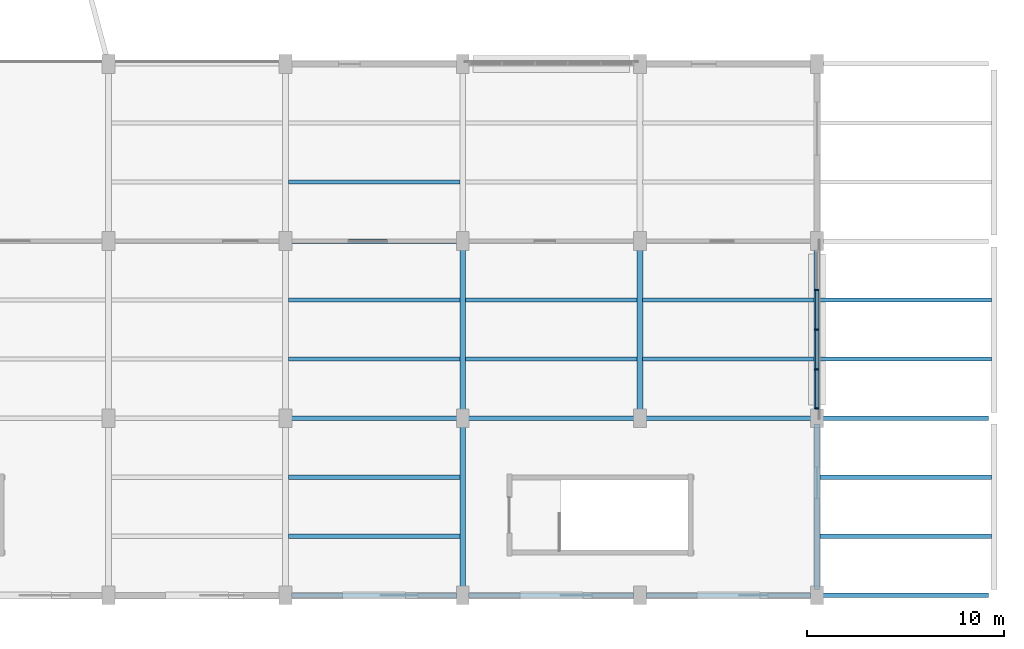
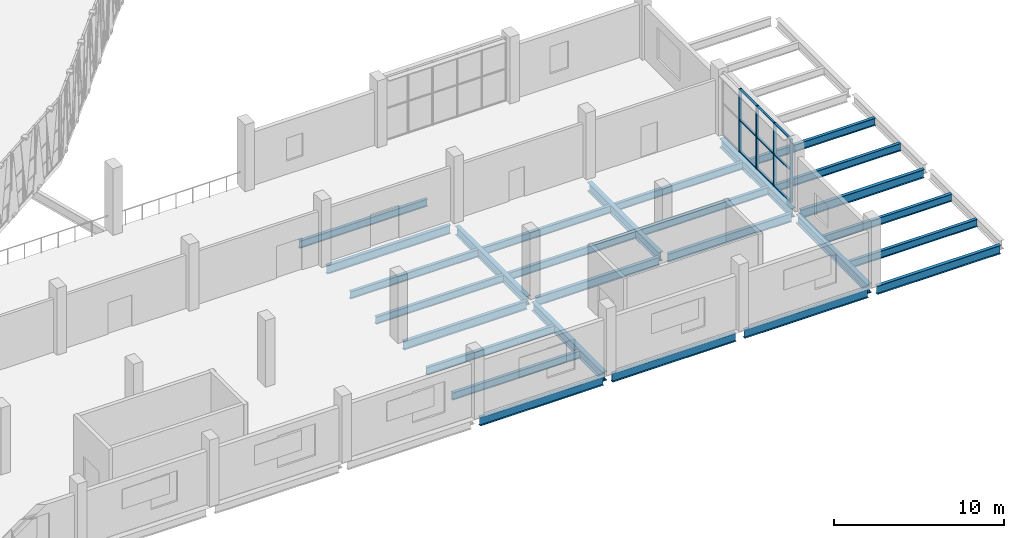
# One storey, part 33 of 152: 27 beams, 13 members, 1 element without a shape of its own.
"""IFC4 building model written with IfcOpenShell, lengths in metres."""

from ifc_helpers import new_model, si_unit, direction, frame, origin, origin_2d, place, context, subcontext, project, spatial, rectangle, i_section, extrude, material, material_profile, profile_set, type_object, element, aggregate, save


model = new_model("IFC4")

# Units and contexts
model_context = context("Model", 3, precision=1e-05, world=origin(), true_north=direction((0.0, 1.0)))
body_context = subcontext(model_context, "Body", "Model", "MODEL_VIEW")
ifc_project = project(units=[si_unit("LENGTHUNIT", "METRE"), si_unit("AREAUNIT", "SQUARE_METRE"), si_unit("VOLUMEUNIT", "CUBIC_METRE"), si_unit("PLANEANGLEUNIT", "RADIAN"), si_unit("MASSUNIT", "GRAM", prefix="KILO")], contexts=[model_context])

# Site, building, storey
site_placement = place(None, origin())
site = spatial("IfcSite", under=ifc_project, at=site_placement, CompositionType="ELEMENT")
building_placement = place(site_placement, origin())
building = spatial("IfcBuilding", under=site, at=building_placement, Name="Zevraka Park Crest Stadium", CompositionType="ELEMENT")
storey_placement = place(building_placement, frame((0.0, 0.0, 15.0)))
storey = spatial("IfcBuildingStorey", under=building, at=storey_placement, Name="L03", CompositionType="ELEMENT", Elevation=15.0)

# Beams
ifc_material_1 = material(Name="Steel S355", Category="steel")
ifc_material_profile_1 = material_profile(ifc_material_1, i_section(OverallWidth=0.300048828125, OverallDepth=0.64990234375, WebThickness=0.01611328125, FlangeThickness=0.031005859375, at=origin_2d()), Name="HEB 650")
ifc_profile_set_1 = profile_set([ifc_material_profile_1], Name="Steel S355")
beam_type_1 = type_object("IfcBeamType", Name="BG07", PredefinedType="BEAM", material=ifc_profile_set_1)
for number, where, z_axis, x_axis, name in (
    (1, (197.0, 0.300048828125, -0.633056640625), (0.0, 1.0, 0.0), (-1.0, 0.0, 0.0), "Wing Girder BG07 L03-22/AB"),
    (2, (197.0, 9.300048828125, -0.633056640625), (0.0, 1.0, 0.0), (-1.0, 0.0, 0.0), "Wing Girder BG07 L03-22/BC"),
    (3, (206.0, 9.300048828125, -0.633056640625), (0.0, 1.0, 0.0), (-1.0, 0.0, 0.0), "Wing Girder BG07 L03-23/BC"),
    (4, (215.0, 0.300048828125, -0.633056640625), (0.0, 1.0, 0.0), (-1.0, 0.0, 0.0), "Wing Girder BG07 L03-24/AB"),
    (5, (215.0, 9.300048828125, -0.633056640625), (0.0, 1.0, 0.0), (-1.0, 0.0, 0.0), "Wing Girder BG07 L03-24/BC"),
):
    element("IfcBeam", number, at=place(storey_placement, frame(where, z_axis=z_axis, x_axis=x_axis)), inside=storey, type_object=beam_type_1, Name=name, PredefinedType="BEAM", context=body_context, shape_type="SweptSolid", body=[
        extrude(i_section(OverallWidth=0.300048828125, OverallDepth=0.64990234375, WebThickness=0.01611328125, FlangeThickness=0.031005859375, at=origin_2d()), origin(), (0.0, 0.0, 1.0), 8.39990234375),
    ])
ifc_material_2 = material(Name="Steel S355", Category="steel")
ifc_material_profile_2 = material_profile(ifc_material_2, i_section(OverallWidth=0.22900390625, OverallDepth=0.612060546875, WebThickness=0.011962890625, FlangeThickness=0.01953125, at=origin_2d()), Name="UKB 610x229x125")
ifc_profile_set_2 = profile_set([ifc_material_profile_2], Name="Steel S355")
beam_type_2 = type_object("IfcBeamType", Name="BG09", PredefinedType="BEAM", material=ifc_profile_set_2)
for number, where, z_axis, x_axis, name in (
    (6, (188.300048828125, 0.0, -0.614013671875), (1.0, 0.0, 0.0), (0.0, 1.0, 0.0), "Wing Girder BG09 L03-2122/A"),
    (7, (188.300048828125, 9.0, -0.614013671875), (1.0, 0.0, 0.0), (0.0, 1.0, 0.0), "Wing Girder BG09 L03-2122/B"),
    (8, (188.300048828125, 18.0, -0.614013671875), (1.0, 0.0, 0.0), (0.0, 1.0, 0.0), "Wing Girder BG09 L03-2122/C"),
    (9, (197.300048828125, 0.0, -0.614013671875), (1.0, 0.0, 0.0), (0.0, 1.0, 0.0), "Wing Girder BG09 L03-2223/A"),
    (10, (197.300048828125, 9.0, -0.614013671875), (1.0, 0.0, 0.0), (0.0, 1.0, 0.0), "Wing Girder BG09 L03-2223/B"),
    (11, (206.300048828125, 0.0, -0.614013671875), (1.0, 0.0, 0.0), (0.0, 1.0, 0.0), "Wing Girder BG09 L03-2324/A"),
    (12, (206.300048828125, 9.0, -0.614013671875), (1.0, 0.0, 0.0), (0.0, 1.0, 0.0), "Wing Girder BG09 L03-2324/B"),
    (13, (215.300048828125, 0.0, -0.614013671875), (1.0, 0.0, 0.0), (0.0, 1.0, 0.0), "Wing Girder BG09 L03-2425/A"),
    (14, (215.300048828125, 9.0, -0.614013671875), (1.0, 0.0, 0.0), (0.0, 1.0, 0.0), "Wing Girder BG09 L03-2425/B"),
):
    element("IfcBeam", number, at=place(storey_placement, frame(where, z_axis=z_axis, x_axis=x_axis)), inside=storey, type_object=beam_type_2, Name=name, PredefinedType="BEAM", context=body_context, shape_type="SweptSolid", body=[
        extrude(i_section(OverallWidth=0.22900390625, OverallDepth=0.612060546875, WebThickness=0.011962890625, FlangeThickness=0.01953125, at=origin_2d()), origin(), (0.0, 0.0, 1.0), 8.39990234375),
    ])

# Curtain wall, members
ifc_material_3 = material(Name="Anodised architectural aluminium and laminated safety glass", Category="aluminium")
curtain_wall_type = type_object("IfcCurtainWallType", Name="CW30", PredefinedType="NOTDEFINED", material=ifc_material_3)
curtain_wall_placement = place(storey_placement, origin())
curtain_wall = element("IfcCurtainWall", 15, at=curtain_wall_placement, inside=storey, type_object=curtain_wall_type, Name="Wing Curtain Wall CW30 L03-SE-E3-2", PredefinedType="NOTDEFINED")
ifc_material_4 = material(Name="Anodised architectural aluminium", Category="aluminium")
ifc_material_profile_3 = material_profile(ifc_material_4, rectangle(XDim=0.199951171875, YDim=0.070068359375, at=origin_2d()), Name="ALU MULLION 200x70")
ifc_profile_set_3 = profile_set([ifc_material_profile_3], Name="Anodised architectural aluminium")
member_type_1 = type_object("IfcMemberType", Name="CM03", PredefinedType="MULLION", material=ifc_profile_set_3)
member_1_placement = place(storey_placement, frame((215.0, 15.517578125, 0.0), z_axis=(0.0, 0.0, 1.0), x_axis=(1.0, 0.0, 0.0)))
member_1 = element("IfcMember", 16, at=member_1_placement, type_object=member_type_1, Name="CW30 mullion 2", PredefinedType="MULLION", context=body_context, shape_type="SweptSolid", body=[
    extrude(rectangle(XDim=0.199951171875, YDim=0.070068359375, at=origin_2d()), origin(), (0.0, 0.0, 1.0), 4.5400390625),
])
member_2_placement = place(storey_placement, frame((215.0, 13.5, 0.0), z_axis=(0.0, 0.0, 1.0), x_axis=(1.0, 0.0, 0.0)))
member_2 = element("IfcMember", 17, at=member_2_placement, type_object=member_type_1, Name="CW30 mullion 3", PredefinedType="MULLION", context=body_context, shape_type="SweptSolid", body=[
    extrude(rectangle(XDim=0.199951171875, YDim=0.070068359375, at=origin_2d()), origin(), (0.0, 0.0, 1.0), 4.5400390625),
])
member_3_placement = place(storey_placement, frame((215.0, 11.482421875, 0.0), z_axis=(0.0, 0.0, 1.0), x_axis=(1.0, 0.0, 0.0)))
member_3 = element("IfcMember", 18, at=member_3_placement, type_object=member_type_1, Name="CW30 mullion 4", PredefinedType="MULLION", context=body_context, shape_type="SweptSolid", body=[
    extrude(rectangle(XDim=0.199951171875, YDim=0.070068359375, at=origin_2d()), origin(), (0.0, 0.0, 1.0), 4.5400390625),
])
member_4_placement = place(storey_placement, frame((215.0, 9.5, 0.0), z_axis=(0.0, 0.0, 1.0), x_axis=(1.0, 0.0, 0.0)))
member_4 = element("IfcMember", 19, at=member_4_placement, type_object=member_type_1, Name="CW30 mullion 5", PredefinedType="MULLION", context=body_context, shape_type="SweptSolid", body=[
    extrude(rectangle(XDim=0.199951171875, YDim=0.070068359375, at=origin_2d()), origin(), (0.0, 0.0, 1.0), 4.5400390625),
])
ifc_material_5 = material(Name="Anodised architectural aluminium", Category="aluminium")
ifc_material_profile_4 = material_profile(ifc_material_5, rectangle(XDim=0.14990234375, YDim=0.070068359375, at=origin_2d()), Name="ALU TRANSOM 150x70")
ifc_profile_set_4 = profile_set([ifc_material_profile_4], Name="Anodised architectural aluminium")
member_type_2 = type_object("IfcMemberType", Name="CT03", PredefinedType="USERDEFINED", material=ifc_profile_set_4)
member_5_placement = place(storey_placement, frame((215.0, 15.482421875, 0.034912109375), z_axis=(0.0, -1.0, 0.0), x_axis=(1.0, 0.0, 0.0)))
member_5 = element("IfcMember", 20, at=member_5_placement, type_object=member_type_2, Name="CW30 transom 2.1", ObjectType="TRANSOM", PredefinedType="USERDEFINED", context=body_context, shape_type="SweptSolid", body=[
    extrude(rectangle(XDim=0.14990234375, YDim=0.070068359375, at=origin_2d()), origin(), (0.0, 0.0, 1.0), 1.947509765625),
])
member_6_placement = place(storey_placement, frame((215.0, 15.482421875, 2.300048828125), z_axis=(0.0, -1.0, 0.0), x_axis=(1.0, 0.0, 0.0)))
member_6 = element("IfcMember", 21, at=member_6_placement, type_object=member_type_2, Name="CW30 transom 2.2", ObjectType="TRANSOM", PredefinedType="USERDEFINED", context=body_context, shape_type="SweptSolid", body=[
    extrude(rectangle(XDim=0.14990234375, YDim=0.070068359375, at=origin_2d()), origin(), (0.0, 0.0, 1.0), 1.947509765625),
])
member_7_placement = place(storey_placement, frame((215.0, 15.482421875, 4.5048828125), z_axis=(0.0, -1.0, 0.0), x_axis=(1.0, 0.0, 0.0)))
member_7 = element("IfcMember", 22, at=member_7_placement, type_object=member_type_2, Name="CW30 transom 2.3", ObjectType="TRANSOM", PredefinedType="USERDEFINED", context=body_context, shape_type="SweptSolid", body=[
    extrude(rectangle(XDim=0.14990234375, YDim=0.070068359375, at=origin_2d()), origin(), (0.0, 0.0, 1.0), 1.947509765625),
])
member_8_placement = place(storey_placement, frame((215.0, 13.465087890625, 0.034912109375), z_axis=(0.0, -1.0, 0.0), x_axis=(1.0, 0.0, 0.0)))
member_8 = element("IfcMember", 23, at=member_8_placement, type_object=member_type_2, Name="CW30 transom 3.1", ObjectType="TRANSOM", PredefinedType="USERDEFINED", context=body_context, shape_type="SweptSolid", body=[
    extrude(rectangle(XDim=0.14990234375, YDim=0.070068359375, at=origin_2d()), origin(), (0.0, 0.0, 1.0), 1.947509765625),
])
member_9_placement = place(storey_placement, frame((215.0, 13.465087890625, 2.300048828125), z_axis=(0.0, -1.0, 0.0), x_axis=(1.0, 0.0, 0.0)))
member_9 = element("IfcMember", 24, at=member_9_placement, type_object=member_type_2, Name="CW30 transom 3.2", ObjectType="TRANSOM", PredefinedType="USERDEFINED", context=body_context, shape_type="SweptSolid", body=[
    extrude(rectangle(XDim=0.14990234375, YDim=0.070068359375, at=origin_2d()), origin(), (0.0, 0.0, 1.0), 1.947509765625),
])
member_10_placement = place(storey_placement, frame((215.0, 13.465087890625, 4.5048828125), z_axis=(0.0, -1.0, 0.0), x_axis=(1.0, 0.0, 0.0)))
member_10 = element("IfcMember", 25, at=member_10_placement, type_object=member_type_2, Name="CW30 transom 3.3", ObjectType="TRANSOM", PredefinedType="USERDEFINED", context=body_context, shape_type="SweptSolid", body=[
    extrude(rectangle(XDim=0.14990234375, YDim=0.070068359375, at=origin_2d()), origin(), (0.0, 0.0, 1.0), 1.947509765625),
])
member_11_placement = place(storey_placement, frame((215.0, 11.447509765625, 0.034912109375), z_axis=(0.0, -1.0, 0.0), x_axis=(1.0, 0.0, 0.0)))
member_11 = element("IfcMember", 26, at=member_11_placement, type_object=member_type_2, Name="CW30 transom 4.1", ObjectType="TRANSOM", PredefinedType="USERDEFINED", context=body_context, shape_type="SweptSolid", body=[
    extrude(rectangle(XDim=0.14990234375, YDim=0.070068359375, at=origin_2d()), origin(), (0.0, 0.0, 1.0), 1.91259765625),
])
member_12_placement = place(storey_placement, frame((215.0, 11.447509765625, 2.300048828125), z_axis=(0.0, -1.0, 0.0), x_axis=(1.0, 0.0, 0.0)))
member_12 = element("IfcMember", 27, at=member_12_placement, type_object=member_type_2, Name="CW30 transom 4.2", ObjectType="TRANSOM", PredefinedType="USERDEFINED", context=body_context, shape_type="SweptSolid", body=[
    extrude(rectangle(XDim=0.14990234375, YDim=0.070068359375, at=origin_2d()), origin(), (0.0, 0.0, 1.0), 1.91259765625),
])
member_13_placement = place(storey_placement, frame((215.0, 11.447509765625, 4.5048828125), z_axis=(0.0, -1.0, 0.0), x_axis=(1.0, 0.0, 0.0)))
member_13 = element("IfcMember", 28, at=member_13_placement, type_object=member_type_2, Name="CW30 transom 4.3", ObjectType="TRANSOM", PredefinedType="USERDEFINED", context=body_context, shape_type="SweptSolid", body=[
    extrude(rectangle(XDim=0.14990234375, YDim=0.070068359375, at=origin_2d()), origin(), (0.0, 0.0, 1.0), 1.91259765625),
])
aggregate(curtain_wall, [member_1, member_2, member_3, member_4, member_5, member_6, member_7, member_8, member_9, member_10, member_11, member_12, member_13])

# Beams
ifc_material_6 = material(Name="Steel S355", Category="steel")
ifc_material_profile_5 = material_profile(ifc_material_6, i_section(OverallWidth=0.209228515625, OverallDepth=0.533203125, WebThickness=0.010009765625, FlangeThickness=0.015625, at=origin_2d()), Name="UKB 533x210x92")
ifc_profile_set_5 = profile_set([ifc_material_profile_5], Name="Steel S355")
beam_type_3 = type_object("IfcBeamType", Name="SJ05", PredefinedType="JOIST", material=ifc_profile_set_5)
for number, where, z_axis, x_axis, name in (
    (29, (188.14501953125, 3.0, -0.57666015625), (1.0, 0.0, 0.0), (0.0, 1.0, 0.0), "Wing Joist SJ05 L03-21/A-1"),
    (30, (188.14501953125, 6.0, -0.57666015625), (1.0, 0.0, 0.0), (0.0, 1.0, 0.0), "Wing Joist SJ05 L03-21/A-2"),
    (31, (188.14501953125, 12.0, -0.57666015625), (1.0, 0.0, 0.0), (0.0, 1.0, 0.0), "Wing Joist SJ05 L03-21/B-1"),
    (32, (188.14501953125, 15.0, -0.57666015625), (1.0, 0.0, 0.0), (0.0, 1.0, 0.0), "Wing Joist SJ05 L03-21/B-2"),
    (33, (188.14501953125, 21.0, -0.57666015625), (1.0, 0.0, 0.0), (0.0, 1.0, 0.0), "Wing Joist SJ05 L03-21/C-1"),
    (34, (197.14501953125, 12.0, -0.57666015625), (1.0, 0.0, 0.0), (0.0, 1.0, 0.0), "Wing Joist SJ05 L03-22/B-1"),
    (35, (197.14501953125, 15.0, -0.57666015625), (1.0, 0.0, 0.0), (0.0, 1.0, 0.0), "Wing Joist SJ05 L03-22/B-2"),
    (36, (206.14501953125, 12.0, -0.57666015625), (1.0, 0.0, 0.0), (0.0, 1.0, 0.0), "Wing Joist SJ05 L03-23/B-1"),
    (37, (206.14501953125, 15.0, -0.57666015625), (1.0, 0.0, 0.0), (0.0, 1.0, 0.0), "Wing Joist SJ05 L03-23/B-2"),
    (38, (215.14501953125, 3.0, -0.57666015625), (1.0, 0.0, 0.0), (0.0, 1.0, 0.0), "Wing Joist SJ05 L03-24/A-1"),
    (39, (215.14501953125, 6.0, -0.57666015625), (1.0, 0.0, 0.0), (0.0, 1.0, 0.0), "Wing Joist SJ05 L03-24/A-2"),
    (40, (215.14501953125, 12.0, -0.57666015625), (1.0, 0.0, 0.0), (0.0, 1.0, 0.0), "Wing Joist SJ05 L03-24/B-1"),
    (41, (215.14501953125, 15.0, -0.57666015625), (1.0, 0.0, 0.0), (0.0, 1.0, 0.0), "Wing Joist SJ05 L03-24/B-2"),
):
    element("IfcBeam", number, at=place(storey_placement, frame(where, z_axis=z_axis, x_axis=x_axis)), inside=storey, type_object=beam_type_3, Name=name, PredefinedType="JOIST", context=body_context, shape_type="SweptSolid", body=[
        extrude(i_section(OverallWidth=0.209228515625, OverallDepth=0.533203125, WebThickness=0.010009765625, FlangeThickness=0.015625, at=origin_2d()), origin(), (0.0, 0.0, 1.0), 8.7099609375),
    ])

save(model, "model.ifc")
